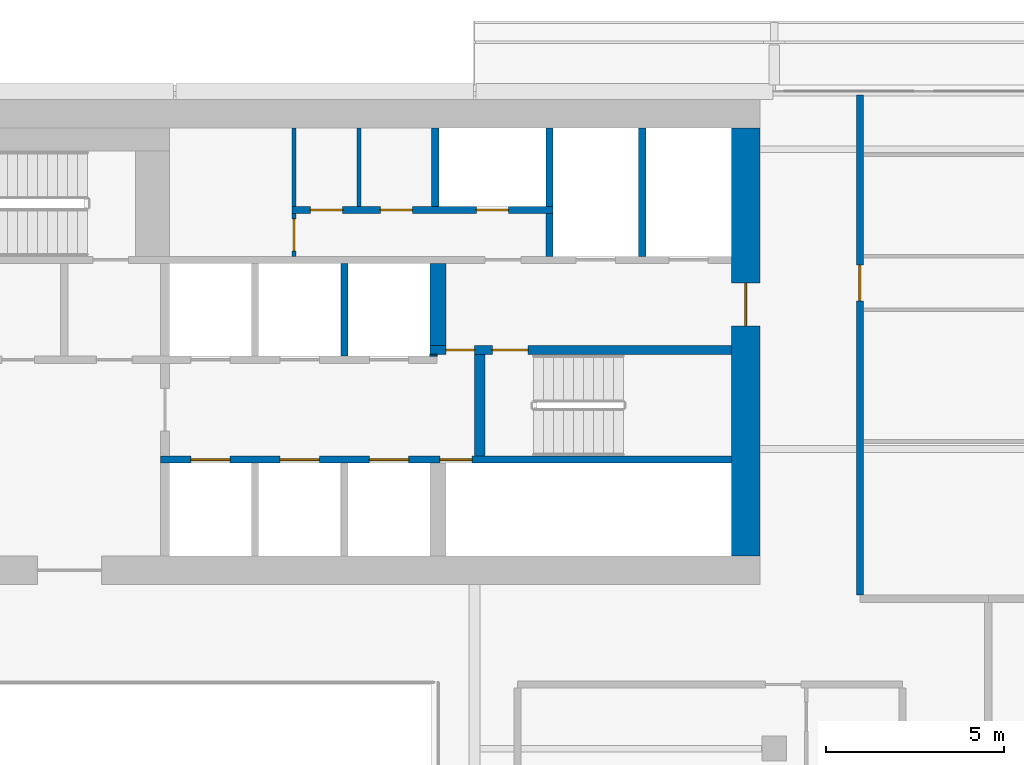
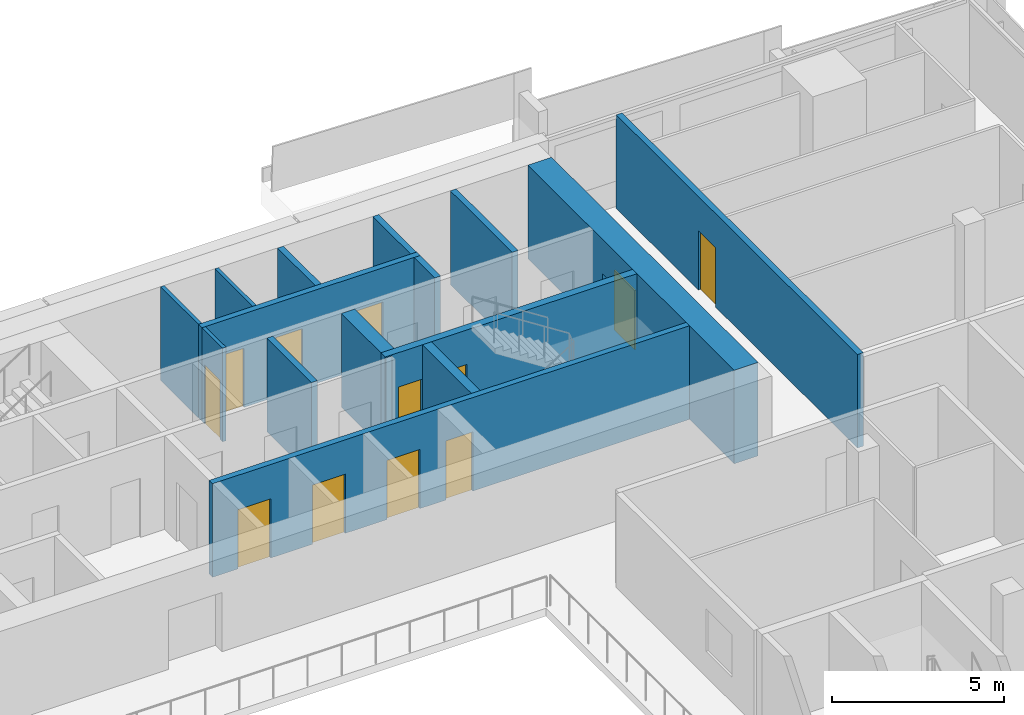
# One storey, part 22 of 30: 16 walls, 12 doors, 12 openings.
"""IFC4 building model written with IfcOpenShell, lengths in metres."""

from ifc_helpers import new_model, si_unit, direction, frame, frame_2d, origin, place, context, subcontext, project, spatial, rectangle, extrude, material, layer, layer_set, type_object, element, fill, save


model = new_model("IFC4")

# Units and contexts
model_context = context("Model", 3, precision=1e-05, world=origin(), true_north=direction((0.0, 1.0)))
body_context = subcontext(model_context, "Body", "Model", "MODEL_VIEW")
ifc_project = project(units=[si_unit("LENGTHUNIT", "METRE"), si_unit("AREAUNIT", "SQUARE_METRE"), si_unit("VOLUMEUNIT", "CUBIC_METRE"), si_unit("PLANEANGLEUNIT", "RADIAN"), si_unit("MASSUNIT", "GRAM", prefix="KILO")], contexts=[model_context])

# Site, building, storey
site_placement = place(None, origin())
site = spatial("IfcSite", under=ifc_project, at=site_placement, CompositionType="ELEMENT")
building_placement = place(site_placement, origin())
building = spatial("IfcBuilding", under=site, at=building_placement, Name="Saffron Gate Tower", CompositionType="ELEMENT")
storey_placement = place(building_placement, frame((0.0, 0.0, 169.050048828125)))
storey = spatial("IfcBuildingStorey", under=building, at=storey_placement, Name="L41", CompositionType="ELEMENT", Elevation=169.050048828125)

# Wall, opening, door
ifc_material_1 = material(Name="Concrete C60", Category="concrete")
ifc_layer_1 = layer(ifc_material_1, 0.800048828125)
ifc_layer_set_1 = layer_set([ifc_layer_1], Name="CW13 RC core wall 800 C60")
wall_type_1 = type_object("IfcWallType", Name="CW13 RC core wall 800 C60", PredefinedType="SOLIDWALL", material=ifc_layer_set_1)
wall_1_placement = place(storey_placement, frame((107.800048828125, 62.39990234375, 0.0), z_axis=(0.0, 0.0, 1.0), x_axis=(0.0, 1.0, 0.0)))
wall_1 = element("IfcWall", 1, at=wall_1_placement, inside=storey, type_object=wall_type_1, Name="Wall CW13-L41-4", PredefinedType="SOLIDWALL", context=body_context, shape_type="SweptSolid", body=[
    extrude(rectangle(XDim=12.0, YDim=0.800048828125, at=frame_2d((6.0, 0.0))), origin(), (0.0, 0.0, 1.0), 3.320068359375),
])
opening_1_placement = place(wall_1_placement, frame((6.449951171875, 0.0, 0.0)))
opening_1 = element("IfcOpeningElement", 2, at=opening_1_placement, cuts=wall_1, Name="Opening CR-08", PredefinedType="OPENING", context=body_context, shape_type="SweptSolid", body=[
    extrude(rectangle(XDim=1.199951171875, YDim=2.10009765625, at=frame_2d((0.60009765625, 1.050048828125))), frame((0.0, 0.41015625, 0.0), z_axis=(0.0, -1.0, 0.0), x_axis=(1.0, 0.0, 0.0)), (0.0, 0.0, 1.0), 0.820068359375),
])
ifc_material_2 = material(Name="Steel fire door set", Category="steel")
door_type_1 = type_object("IfcDoorType", Name="CD7 Core entrance door 1200x2100 EI 120", OperationType="NOTDEFINED", PredefinedType="DOOR", material=ifc_material_2)
door_1_placement = place(opening_1_placement, origin())
door_1 = element("IfcDoor", 3, at=door_1_placement, inside=storey, type_object=door_type_1, Name="DOOR CR-08", OperationType="SINGLE_SWING_RIGHT", OverallHeight=2.10009765625, OverallWidth=1.199951171875, PredefinedType="DOOR", context=body_context, shape_type="SweptSolid", body=[
    extrude(rectangle(XDim=1.199951171875, YDim=2.10009765625, at=frame_2d((0.60009765625, 1.050048828125))), frame((0.0, 0.02490234375, 0.0), z_axis=(0.0, -1.0, 0.0), x_axis=(1.0, 0.0, 0.0)), (0.0, 0.0, 1.0), 0.050048828125),
])
fill(opening_1, door_1)

# Wall, openings, doors
ifc_layer_2 = layer(ifc_material_1, 0.25)
ifc_layer_set_2 = layer_set([ifc_layer_2], Name="CW14 RC core wall 250 C60")
wall_type_2 = type_object("IfcWallType", Name="CW14 RC core wall 250 C60", PredefinedType="SOLIDWALL", material=ifc_layer_set_2)
wall_2_placement = place(storey_placement, frame((98.949951171875, 68.175048828125, 0.0), z_axis=(0.0, 0.0, 1.0), x_axis=(1.0, 0.0, 0.0)))
wall_2 = element("IfcWall", 4, at=wall_2_placement, inside=storey, type_object=wall_type_2, Name="Wall CW14-L41-29", PredefinedType="SOLIDWALL", context=body_context, shape_type="SweptSolid", body=[
    extrude(rectangle(XDim=8.449951171875, YDim=0.25, at=frame_2d((4.22509765625, 0.0))), origin(), (0.0, 0.0, 1.0), 3.320068359375),
])
opening_2_placement = place(wall_2_placement, frame((0.449951171875, 0.0, 0.0)))
opening_2 = element("IfcOpeningElement", 5, at=opening_2_placement, cuts=wall_2, Name="Opening CR-05", PredefinedType="OPENING", context=body_context, shape_type="SweptSolid", body=[
    extrude(rectangle(XDim=0.800048828125, YDim=2.10009765625, at=frame_2d((0.39990234375, 1.050048828125))), frame((0.0, 0.135009765625, 0.0), z_axis=(0.0, -1.0, 0.0), x_axis=(1.0, 0.0, 0.0)), (0.0, 0.0, 1.0), 0.27001953125),
])
opening_3_placement = place(wall_2_placement, frame((1.75, 0.0, 0.0)))
opening_3 = element("IfcOpeningElement", 6, at=opening_3_placement, cuts=wall_2, Name="Opening CR-16", PredefinedType="OPENING", context=body_context, shape_type="SweptSolid", body=[
    extrude(rectangle(XDim=1.0, YDim=2.10009765625, at=frame_2d((0.5, 1.050048828125))), frame((0.0, 0.135009765625, 0.0), z_axis=(0.0, -1.0, 0.0), x_axis=(1.0, 0.0, 0.0)), (0.0, 0.0, 1.0), 0.27001953125),
])
door_type_2 = type_object("IfcDoorType", Name="CD5 Stair door 1000x2100 EI 120", OperationType="NOTDEFINED", PredefinedType="DOOR", material=ifc_material_2)
door_2_placement = place(opening_3_placement, origin())
door_2 = element("IfcDoor", 7, at=door_2_placement, inside=storey, type_object=door_type_2, Name="DOOR CR-16", OperationType="SINGLE_SWING_RIGHT", OverallHeight=2.10009765625, OverallWidth=1.0, PredefinedType="DOOR", context=body_context, shape_type="SweptSolid", body=[
    extrude(rectangle(XDim=1.0, YDim=2.10009765625, at=frame_2d((0.5, 1.050048828125))), frame((0.0, 0.02490234375, 0.0), z_axis=(0.0, -1.0, 0.0), x_axis=(1.0, 0.0, 0.0)), (0.0, 0.0, 1.0), 0.050048828125),
])
fill(opening_3, door_2)
door_type_3 = type_object("IfcDoorType", Name="CD6 Lobby door 800x2100 EI 120", OperationType="NOTDEFINED", PredefinedType="DOOR", material=ifc_material_2)
door_3_placement = place(opening_2_placement, origin())
door_3 = element("IfcDoor", 8, at=door_3_placement, inside=storey, type_object=door_type_3, Name="DOOR CR-05", OperationType="SINGLE_SWING_LEFT", OverallHeight=2.10009765625, OverallWidth=0.800048828125, PredefinedType="DOOR", context=body_context, shape_type="SweptSolid", body=[
    extrude(rectangle(XDim=0.800048828125, YDim=2.10009765625, at=frame_2d((0.39990234375, 1.050048828125))), frame((0.0, 0.02490234375, 0.0), z_axis=(0.0, -1.0, 0.0), x_axis=(1.0, 0.0, 0.0)), (0.0, 0.0, 1.0), 0.050048828125),
])
fill(opening_2, door_3)

ifc_layer_3 = layer(ifc_material_1, 0.199951171875)
ifc_layer_set_3 = layer_set([ifc_layer_3], Name="CW15 RC core wall 200 C60")
wall_type_3 = type_object("IfcWallType", Name="CW15 RC core wall 200 C60", PredefinedType="SOLIDWALL", material=ifc_layer_set_3)
wall_3_placement = place(storey_placement, frame((91.39990234375, 65.10009765625, 0.0), z_axis=(0.0, 0.0, 1.0), x_axis=(1.0, 0.0, 0.0)))
wall_3 = element("IfcWall", 9, at=wall_3_placement, inside=storey, type_object=wall_type_3, Name="Wall CW15-L41-14", PredefinedType="SOLIDWALL", context=body_context, shape_type="SweptSolid", body=[
    extrude(rectangle(XDim=16.0, YDim=0.199951171875, at=frame_2d((8.0, 0.0))), origin(), (0.0, 0.0, 1.0), 3.320068359375),
])
opening_4_placement = place(wall_3_placement, frame((0.85009765625, 0.0, 0.0)))
opening_4 = element("IfcOpeningElement", 10, at=opening_4_placement, cuts=wall_3, Name="Opening LD-HR1", PredefinedType="OPENING", context=body_context, shape_type="SweptSolid", body=[
    extrude(rectangle(XDim=1.10009765625, YDim=2.10009765625, at=frame_2d((0.550048828125, 1.050048828125))), frame((0.0, 0.10986328125, 0.0), z_axis=(0.0, -1.0, 0.0), x_axis=(1.0, 0.0, 0.0)), (0.0, 0.0, 1.0), 0.219970703125),
])
opening_5_placement = place(wall_3_placement, frame((3.35009765625, 0.0, 0.0)))
opening_5 = element("IfcOpeningElement", 11, at=opening_5_placement, cuts=wall_3, Name="Opening LD-HR2", PredefinedType="OPENING", context=body_context, shape_type="SweptSolid", body=[
    extrude(rectangle(XDim=1.10009765625, YDim=2.10009765625, at=frame_2d((0.550048828125, 1.050048828125))), frame((0.0, 0.10986328125, 0.0), z_axis=(0.0, -1.0, 0.0), x_axis=(1.0, 0.0, 0.0)), (0.0, 0.0, 1.0), 0.219970703125),
])
opening_6_placement = place(wall_3_placement, frame((5.85009765625, 0.0, 0.0)))
opening_6 = element("IfcOpeningElement", 12, at=opening_6_placement, cuts=wall_3, Name="Opening LD-HR3", PredefinedType="OPENING", context=body_context, shape_type="SweptSolid", body=[
    extrude(rectangle(XDim=1.10009765625, YDim=2.10009765625, at=frame_2d((0.550048828125, 1.050048828125))), frame((0.0, 0.10986328125, 0.0), z_axis=(0.0, -1.0, 0.0), x_axis=(1.0, 0.0, 0.0)), (0.0, 0.0, 1.0), 0.219970703125),
])
opening_7_placement = place(wall_3_placement, frame((7.830078125, 0.0, 0.0)))
opening_7 = element("IfcOpeningElement", 13, at=opening_7_placement, cuts=wall_3, Name="Opening CR-48", PredefinedType="OPENING", context=body_context, shape_type="SweptSolid", body=[
    extrude(rectangle(XDim=0.89990234375, YDim=2.10009765625, at=frame_2d((0.449951171875, 1.050048828125))), frame((0.0, 0.10986328125, 0.0), z_axis=(0.0, -1.0, 0.0), x_axis=(1.0, 0.0, 0.0)), (0.0, 0.0, 1.0), 0.219970703125),
])
door_type_4 = type_object("IfcDoorType", Name="CD2 Riser door 900x2100 EI 60", OperationType="NOTDEFINED", PredefinedType="DOOR", material=ifc_material_2)
door_4_placement = place(opening_7_placement, origin())
door_4 = element("IfcDoor", 14, at=door_4_placement, inside=storey, type_object=door_type_4, Name="DOOR CR-48", OperationType="SINGLE_SWING_RIGHT", OverallHeight=2.10009765625, OverallWidth=0.89990234375, PredefinedType="DOOR", context=body_context, shape_type="SweptSolid", body=[
    extrude(rectangle(XDim=0.89990234375, YDim=2.10009765625, at=frame_2d((0.449951171875, 1.050048828125))), frame((0.0, 0.02490234375, 0.0), z_axis=(0.0, -1.0, 0.0), x_axis=(1.0, 0.0, 0.0)), (0.0, 0.0, 1.0), 0.050048828125),
])
fill(opening_7, door_4)
ifc_material_3 = material(Name="Stainless steel landing door", Category="steel")
door_type_5 = type_object("IfcDoorType", Name="LD Lift landing door 1100x2100 EI 120", OperationType="SLIDING_TO_LEFT", PredefinedType="DOOR", material=ifc_material_3)
door_5_placement = place(opening_4_placement, origin())
door_5 = element("IfcDoor", 15, at=door_5_placement, inside=storey, type_object=door_type_5, Name="LANDING DOOR LD-HR1", OperationType="SLIDING_TO_LEFT", OverallHeight=2.10009765625, OverallWidth=1.10009765625, PredefinedType="DOOR", context=body_context, shape_type="SweptSolid", body=[
    extrude(rectangle(XDim=1.10009765625, YDim=2.10009765625, at=frame_2d((0.550048828125, 1.050048828125))), frame((0.0, 0.02490234375, 0.0), z_axis=(0.0, -1.0, 0.0), x_axis=(1.0, 0.0, 0.0)), (0.0, 0.0, 1.0), 0.050048828125),
])
fill(opening_4, door_5)
door_6_placement = place(opening_5_placement, origin())
door_6 = element("IfcDoor", 16, at=door_6_placement, inside=storey, type_object=door_type_5, Name="LANDING DOOR LD-HR2", OperationType="SLIDING_TO_LEFT", OverallHeight=2.10009765625, OverallWidth=1.10009765625, PredefinedType="DOOR", context=body_context, shape_type="SweptSolid", body=[
    extrude(rectangle(XDim=1.10009765625, YDim=2.10009765625, at=frame_2d((0.550048828125, 1.050048828125))), frame((0.0, 0.02490234375, 0.0), z_axis=(0.0, -1.0, 0.0), x_axis=(1.0, 0.0, 0.0)), (0.0, 0.0, 1.0), 0.050048828125),
])
fill(opening_5, door_6)
door_7_placement = place(opening_6_placement, origin())
door_7 = element("IfcDoor", 17, at=door_7_placement, inside=storey, type_object=door_type_5, Name="LANDING DOOR LD-HR3", OperationType="SLIDING_TO_LEFT", OverallHeight=2.10009765625, OverallWidth=1.10009765625, PredefinedType="DOOR", context=body_context, shape_type="SweptSolid", body=[
    extrude(rectangle(XDim=1.10009765625, YDim=2.10009765625, at=frame_2d((0.550048828125, 1.050048828125))), frame((0.0, 0.02490234375, 0.0), z_axis=(0.0, -1.0, 0.0), x_axis=(1.0, 0.0, 0.0)), (0.0, 0.0, 1.0), 0.050048828125),
])
fill(opening_6, door_7)

# Walls
wall_4_placement = place(storey_placement, frame((96.550048828125, 68.0, 0.0), z_axis=(0.0, 0.0, 1.0), x_axis=(0.0, 1.0, 0.0)))
element("IfcWall", 18, at=wall_4_placement, inside=storey, type_object=wall_type_3, Name="Wall CW15-L41-26", PredefinedType="SOLIDWALL", context=body_context, shape_type="SweptSolid", body=[
    extrude(rectangle(XDim=2.60009765625, YDim=0.199951171875, at=frame_2d((1.300048828125, 0.0))), origin(), (0.0, 0.0, 1.0), 3.320068359375),
])
wall_5_placement = place(storey_placement, frame((102.300048828125, 70.800048828125, 0.0), z_axis=(0.0, 0.0, 1.0), x_axis=(0.0, 1.0, 0.0)))
element("IfcWall", 19, at=wall_5_placement, inside=storey, type_object=wall_type_3, Name="Wall CW15-L41-39", PredefinedType="SOLIDWALL", context=body_context, shape_type="SweptSolid", body=[
    extrude(rectangle(XDim=1.199951171875, YDim=0.199951171875, at=frame_2d((0.60009765625, 0.0))), origin(), (0.0, 0.0, 1.0), 3.320068359375),
])
wall_6_placement = place(storey_placement, frame((104.89990234375, 70.800048828125, 0.0), z_axis=(0.0, 0.0, 1.0), x_axis=(0.0, 1.0, 0.0)))
element("IfcWall", 20, at=wall_6_placement, inside=storey, type_object=wall_type_3, Name="Wall CW15-L41-40", PredefinedType="SOLIDWALL", context=body_context, shape_type="SweptSolid", body=[
    extrude(rectangle(XDim=3.599853515625, YDim=0.199951171875, at=frame_2d((1.7998046875, 0.0))), origin(), (0.0, 0.0, 1.0), 3.320068359375),
])

# Wall, openings, doors
wall_7_placement = place(storey_placement, frame((95.080078125, 72.10009765625, 0.0), z_axis=(0.0, 0.0, 1.0), x_axis=(1.0, 0.0, 0.0)))
wall_7 = element("IfcWall", 21, at=wall_7_placement, inside=storey, type_object=wall_type_3, Name="Wall CW15-L41-42", PredefinedType="SOLIDWALL", context=body_context, shape_type="SweptSolid", body=[
    extrude(rectangle(XDim=7.31982421875, YDim=0.199951171875, at=frame_2d((3.659912109375, 0.0))), origin(), (0.0, 0.0, 1.0), 3.320068359375),
])
opening_8_placement = place(wall_7_placement, frame((0.52001953125, 0.0, 0.0)))
opening_8 = element("IfcOpeningElement", 22, at=opening_8_placement, cuts=wall_7, Name="Opening CR-50", PredefinedType="OPENING", context=body_context, shape_type="SweptSolid", body=[
    extrude(rectangle(XDim=0.89990234375, YDim=2.10009765625, at=frame_2d((0.449951171875, 1.050048828125))), frame((0.0, 0.10986328125, 0.0), z_axis=(0.0, -1.0, 0.0), x_axis=(1.0, 0.0, 0.0)), (0.0, 0.0, 1.0), 0.219970703125),
])
opening_9_placement = place(wall_7_placement, frame((2.47998046875, 0.0, 0.0)))
opening_9 = element("IfcOpeningElement", 23, at=opening_9_placement, cuts=wall_7, Name="Opening CR-53", PredefinedType="OPENING", context=body_context, shape_type="SweptSolid", body=[
    extrude(rectangle(XDim=0.89990234375, YDim=2.10009765625, at=frame_2d((0.449951171875, 1.050048828125))), frame((0.0, 0.10986328125, 0.0), z_axis=(0.0, -1.0, 0.0), x_axis=(1.0, 0.0, 0.0)), (0.0, 0.0, 1.0), 0.219970703125),
])
opening_10_placement = place(wall_7_placement, frame((5.169921875, 0.0, 0.0)))
opening_10 = element("IfcOpeningElement", 24, at=opening_10_placement, cuts=wall_7, Name="Opening CR-70", PredefinedType="OPENING", context=body_context, shape_type="SweptSolid", body=[
    extrude(rectangle(XDim=0.89990234375, YDim=2.10009765625, at=frame_2d((0.449951171875, 1.050048828125))), frame((0.0, 0.10986328125, 0.0), z_axis=(0.0, -1.0, 0.0), x_axis=(1.0, 0.0, 0.0)), (0.0, 0.0, 1.0), 0.219970703125),
])
door_8_placement = place(opening_10_placement, origin())
door_8 = element("IfcDoor", 25, at=door_8_placement, inside=storey, type_object=door_type_4, Name="DOOR CR-70", OperationType="SINGLE_SWING_LEFT", OverallHeight=2.10009765625, OverallWidth=0.89990234375, PredefinedType="DOOR", context=body_context, shape_type="SweptSolid", body=[
    extrude(rectangle(XDim=0.89990234375, YDim=2.10009765625, at=frame_2d((0.449951171875, 1.050048828125))), frame((0.0, 0.02490234375, 0.0), z_axis=(0.0, -1.0, 0.0), x_axis=(1.0, 0.0, 0.0)), (0.0, 0.0, 1.0), 0.050048828125),
])
fill(opening_10, door_8)
door_type_6 = type_object("IfcDoorType", Name="CD9 Room door 900x2100 EI 60", OperationType="NOTDEFINED", PredefinedType="DOOR", material=ifc_material_2)
door_9_placement = place(opening_8_placement, origin())
door_9 = element("IfcDoor", 26, at=door_9_placement, inside=storey, type_object=door_type_6, Name="DOOR CR-50", OperationType="SINGLE_SWING_LEFT", OverallHeight=2.10009765625, OverallWidth=0.89990234375, PredefinedType="DOOR", context=body_context, shape_type="SweptSolid", body=[
    extrude(rectangle(XDim=0.89990234375, YDim=2.10009765625, at=frame_2d((0.449951171875, 1.050048828125))), frame((0.0, 0.02490234375, 0.0), z_axis=(0.0, -1.0, 0.0), x_axis=(1.0, 0.0, 0.0)), (0.0, 0.0, 1.0), 0.050048828125),
])
fill(opening_8, door_9)
door_10_placement = place(opening_9_placement, origin())
door_10 = element("IfcDoor", 27, at=door_10_placement, inside=storey, type_object=door_type_6, Name="DOOR CR-53", OperationType="SINGLE_SWING_LEFT", OverallHeight=2.10009765625, OverallWidth=0.89990234375, PredefinedType="DOOR", context=body_context, shape_type="SweptSolid", body=[
    extrude(rectangle(XDim=0.89990234375, YDim=2.10009765625, at=frame_2d((0.449951171875, 1.050048828125))), frame((0.0, 0.02490234375, 0.0), z_axis=(0.0, -1.0, 0.0), x_axis=(1.0, 0.0, 0.0)), (0.0, 0.0, 1.0), 0.050048828125),
])
fill(opening_9, door_10)

# Walls
for number, where, z_axis, x_axis, name in (
    (28, (99.10009765625, 72.199951171875, 0.0), (0.0, 0.0, 1.0), (0.0, 1.0, 0.0), "Wall CW15-L41-49"),
    (29, (102.300048828125, 72.199951171875, 0.0), (0.0, 0.0, 1.0), (0.0, 1.0, 0.0), "Wall CW15-L41-50"),
):
    element("IfcWall", number, at=place(storey_placement, frame(where, z_axis=z_axis, x_axis=x_axis)), inside=storey, type_object=wall_type_3, Name=name, PredefinedType="SOLIDWALL", context=body_context, shape_type="SweptSolid", body=[
        extrude(rectangle(XDim=2.199951171875, YDim=0.199951171875, at=frame_2d((1.10009765625, 0.0))), origin(), (0.0, 0.0, 1.0), 3.320068359375),
    ])
ifc_layer_4 = layer(ifc_material_1, 0.449951171875)
ifc_layer_set_4 = layer_set([ifc_layer_4], Name="CW16 RC core wall 450 C60")
wall_type_4 = type_object("IfcWallType", Name="CW16 RC core wall 450 C60", PredefinedType="SOLIDWALL", material=ifc_layer_set_4)
wall_8_placement = place(storey_placement, frame((99.175048828125, 68.300048828125, 0.0), z_axis=(0.0, 0.0, 1.0), x_axis=(0.0, 1.0, 0.0)))
element("IfcWall", 30, at=wall_8_placement, inside=storey, type_object=wall_type_4, Name="Wall CW16-L41-31", PredefinedType="SOLIDWALL", context=body_context, shape_type="SweptSolid", body=[
    extrude(rectangle(XDim=2.300048828125, YDim=0.449951171875, at=frame_2d((1.14990234375, 0.0))), origin(), (0.0, 0.0, 1.0), 3.320068359375),
])
ifc_layer_5 = layer(ifc_material_1, 0.300048828125)
ifc_layer_set_5 = layer_set([ifc_layer_5], Name="CW17 RC core wall 300 C60")
wall_type_5 = type_object("IfcWallType", Name="CW17 RC core wall 300 C60", PredefinedType="SOLIDWALL", material=ifc_layer_set_5)
wall_9_placement = place(storey_placement, frame((100.35009765625, 65.199951171875, 0.0), z_axis=(0.0, 0.0, 1.0), x_axis=(0.0, 1.0, 0.0)))
element("IfcWall", 31, at=wall_9_placement, inside=storey, type_object=wall_type_5, Name="Wall CW17-L41-18", PredefinedType="SOLIDWALL", context=body_context, shape_type="SweptSolid", body=[
    extrude(rectangle(XDim=2.85009765625, YDim=0.300048828125, at=frame_2d((1.425048828125, 0.0))), origin(), (0.0, 0.0, 1.0), 3.320068359375),
])
ifc_layer_6 = layer(ifc_material_1, 0.050048828125)
ifc_layer_set_6 = layer_set([ifc_layer_6], Name="CW18 RC core wall 50 C60")
wall_type_6 = type_object("IfcWallType", Name="CW18 RC core wall 50 C60", PredefinedType="SOLIDWALL", material=ifc_layer_set_6)
wall_10_placement = place(storey_placement, frame((98.949951171875, 68.02490234375, 0.0), z_axis=(0.0, 0.0, 1.0), x_axis=(1.0, 0.0, 0.0)))
element("IfcWall", 32, at=wall_10_placement, inside=storey, type_object=wall_type_6, Name="Wall CW18-L41-27", PredefinedType="SOLIDWALL", context=body_context, shape_type="SweptSolid", body=[
    extrude(rectangle(XDim=0.199951171875, YDim=0.050048828125, at=frame_2d((0.10009765625, 0.0))), origin(), (0.0, 0.0, 1.0), 3.320068359375),
])

# Wall, opening, door
ifc_material_4 = material(Name="Gypsum board partition on steel studs", Category="steel")
ifc_layer_7 = layer(ifc_material_4, 0.1201171875)
ifc_layer_set_7 = layer_set([ifc_layer_7], Name="CW8 Core partition 120")
wall_type_7 = type_object("IfcWallType", Name="CW8 Core partition 120", PredefinedType="PARTITIONING", material=ifc_layer_set_7)
wall_11_placement = place(storey_placement, frame((95.139892578125, 70.800048828125, 0.0), z_axis=(0.0, 0.0, 1.0), x_axis=(0.0, 1.0, 0.0)))
wall_11 = element("IfcWall", 33, at=wall_11_placement, inside=storey, type_object=wall_type_7, Name="Wall CW8-L41-38", PredefinedType="PARTITIONING", context=body_context, shape_type="SweptSolid", body=[
    extrude(rectangle(XDim=1.199951171875, YDim=0.1201171875, at=frame_2d((0.60009765625, 0.0))), origin(), (0.0, 0.0, 1.0), 3.320068359375),
])
opening_11_placement = place(wall_11_placement, frame((0.14990234375, 0.0, 0.0)))
opening_11 = element("IfcOpeningElement", 34, at=opening_11_placement, cuts=wall_11, Name="Opening CR-54", PredefinedType="OPENING", context=body_context, shape_type="SweptSolid", body=[
    extrude(rectangle(XDim=0.89990234375, YDim=2.10009765625, at=frame_2d((0.449951171875, 1.050048828125))), frame((0.0, 0.070068359375, 0.0), z_axis=(0.0, -1.0, 0.0), x_axis=(1.0, 0.0, 0.0)), (0.0, 0.0, 1.0), 0.14013671875),
])
door_11_placement = place(opening_11_placement, origin())
door_11 = element("IfcDoor", 35, at=door_11_placement, inside=storey, type_object=door_type_6, Name="DOOR CR-54", OperationType="SINGLE_SWING_LEFT", OverallHeight=2.10009765625, OverallWidth=0.89990234375, PredefinedType="DOOR", context=body_context, shape_type="SweptSolid", body=[
    extrude(rectangle(XDim=0.89990234375, YDim=2.10009765625, at=frame_2d((0.449951171875, 1.050048828125))), frame((0.0, 0.02490234375, 0.0), z_axis=(0.0, -1.0, 0.0), x_axis=(1.0, 0.0, 0.0)), (0.0, 0.0, 1.0), 0.050048828125),
])
fill(opening_11, door_11)

# Walls
for number, where, z_axis, x_axis, name in (
    (36, (95.139892578125, 72.199951171875, 0.0), (0.0, 0.0, 1.0), (0.0, 1.0, 0.0), "Wall CW8-L41-47"),
    (37, (96.9599609375, 72.199951171875, 0.0), (0.0, 0.0, 1.0), (0.0, 1.0, 0.0), "Wall CW8-L41-48"),
):
    element("IfcWall", number, at=place(storey_placement, frame(where, z_axis=z_axis, x_axis=x_axis)), inside=storey, type_object=wall_type_7, Name=name, PredefinedType="PARTITIONING", context=body_context, shape_type="SweptSolid", body=[
        extrude(rectangle(XDim=2.199951171875, YDim=0.1201171875, at=frame_2d((1.10009765625, 0.0))), origin(), (0.0, 0.0, 1.0), 3.320068359375),
    ])

# Wall, opening, door
ifc_material_5 = material(Name="Clay brick masonry, rendered", Category="masonry")
ifc_layer_8 = layer(ifc_material_5, 0.199951171875)
ifc_layer_set_8 = layer_set([ifc_layer_8], Name="PW3 Corridor wall 200")
wall_type_8 = type_object("IfcWallType", Name="PW3 Corridor wall 200", PredefinedType="PARTITIONING", material=ifc_layer_set_8)
wall_12_placement = place(storey_placement, frame((111.0, 75.320068359375, 0.0), z_axis=(0.0, 0.0, 1.0), x_axis=(0.0, -1.0, 0.0)))
wall_12 = element("IfcWall", 38, at=wall_12_placement, inside=storey, type_object=wall_type_8, Name="Wall C3-104", PredefinedType="PARTITIONING", context=body_context, shape_type="SweptSolid", body=[
    extrude(rectangle(XDim=14.02001953125, YDim=0.199951171875, at=frame_2d((7.010009765625, 0.0))), origin(), (0.0, 0.0, 1.0), 3.320068359375),
])
opening_12_placement = place(wall_12_placement, frame((4.77001953125, 0.0, 0.0)))
opening_12 = element("IfcOpeningElement", 39, at=opening_12_placement, cuts=wall_12, Name="Opening C3-8", PredefinedType="OPENING", context=body_context, shape_type="SweptSolid", body=[
    extrude(rectangle(XDim=1.0, YDim=2.10009765625, at=frame_2d((0.5, 1.050048828125))), frame((0.0, 0.10986328125, 0.0), z_axis=(0.0, -1.0, 0.0), x_axis=(1.0, 0.0, 0.0)), (0.0, 0.0, 1.0), 0.219970703125),
])
ifc_material_6 = material(Name="Timber fire door set", Category="wood")
door_type_7 = type_object("IfcDoorType", Name="FD1 Flat entry door 1000x2100", OperationType="NOTDEFINED", PredefinedType="DOOR", material=ifc_material_6)
door_12_placement = place(opening_12_placement, origin())
door_12 = element("IfcDoor", 40, at=door_12_placement, inside=storey, type_object=door_type_7, Name="Door C3-8", OperationType="SINGLE_SWING_RIGHT", OverallHeight=2.10009765625, OverallWidth=1.0, PredefinedType="DOOR", context=body_context, shape_type="SweptSolid", body=[
    extrude(rectangle(XDim=1.0, YDim=2.10009765625, at=frame_2d((0.5, 1.050048828125))), frame((0.0, 0.02490234375, 0.0), z_axis=(0.0, -1.0, 0.0), x_axis=(1.0, 0.0, 0.0)), (0.0, 0.0, 1.0), 0.050048828125),
])
fill(opening_12, door_12)

save(model, "model.ifc")
